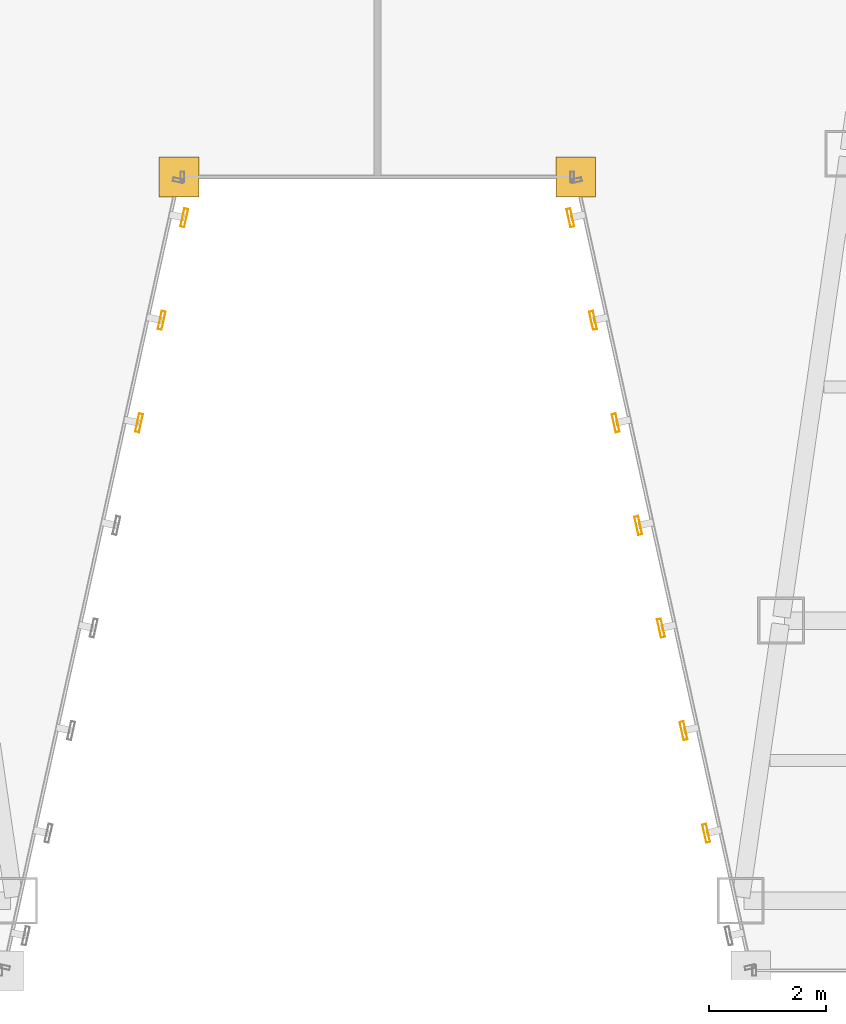
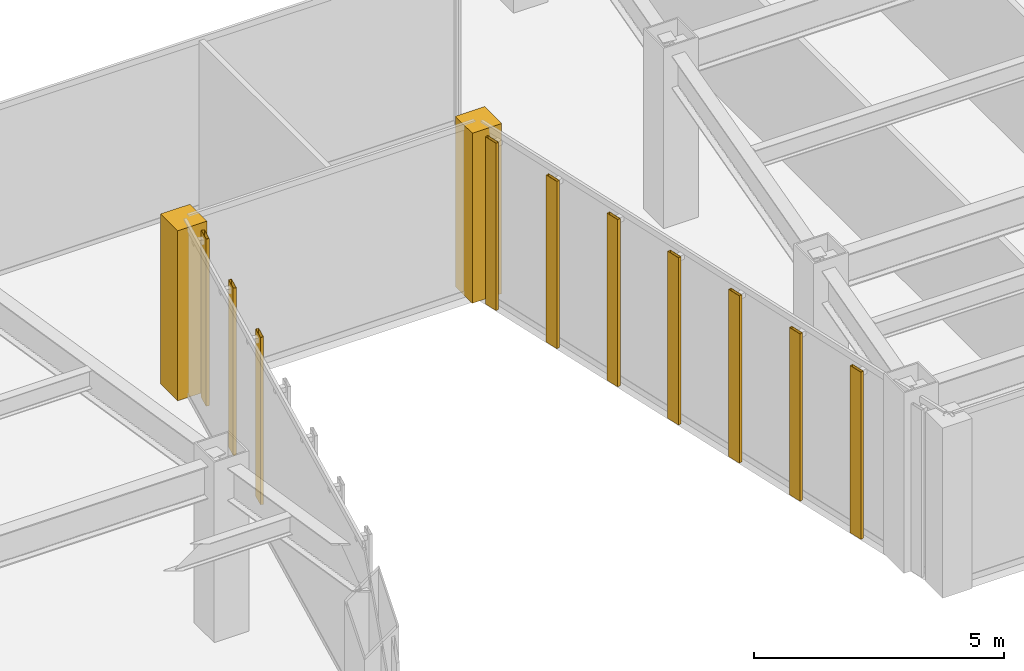
# One storey, part 42 of 47: 10 shading devices, 2 coverings.
"""IFC4 building model written with IfcOpenShell, lengths in metres."""

from ifc_helpers import new_model, si_unit, direction, frame, origin, origin_2d, place, context, subcontext, project, spatial, polyline, hollow_rectangle, outline, extrude, material, layer, layer_set, material_profile, profile_set, type_object, element, save


model = new_model("IFC4")

# Units and contexts
model_context = context("Model", 3, precision=1e-05, world=origin(), true_north=direction((0.0, 1.0)))
body_context = subcontext(model_context, "Body", "Model", "MODEL_VIEW")
ifc_project = project(units=[si_unit("LENGTHUNIT", "METRE"), si_unit("AREAUNIT", "SQUARE_METRE"), si_unit("VOLUMEUNIT", "CUBIC_METRE"), si_unit("PLANEANGLEUNIT", "RADIAN"), si_unit("MASSUNIT", "GRAM", prefix="KILO")], contexts=[model_context])

# Site, building, storey
site_placement = place(None, origin())
site = spatial("IfcSite", under=ifc_project, at=site_placement, CompositionType="ELEMENT")
building_placement = place(site_placement, origin())
building = spatial("IfcBuilding", under=site, at=building_placement, Name="Saevonmaru Cultural Tower", CompositionType="ELEMENT")
storey_placement = place(building_placement, frame((0.0, 0.0, 64.800048828125)))
storey = spatial("IfcBuildingStorey", under=building, at=storey_placement, Name="L13", CompositionType="ELEMENT", Elevation=64.800048828125)

# Coverings
ifc_material = material(Name="Satin Bronze Anodised Aluminium", Category="aluminium")
ifc_layer = layer(ifc_material, 0.679931640625, Name="Satin Bronze Anodised Aluminium")
ifc_layer_set = layer_set([ifc_layer], Name="Satin Bronze Anodised Aluminium")
covering_type = type_object("IfcCoveringType", Name="CV-CORNER-CLAD", PredefinedType="CLADDING", material=ifc_layer_set)
covering_1_placement = place(storey_placement, origin())
element("IfcCovering", 1, at=covering_1_placement, inside=storey, type_object=covering_type, Name="L13 Tower Bronze Corner Cladding Pier 4", PredefinedType="CLADDING", context=body_context, shape_type="SweptSolid", body=[
    extrude(outline(polyline([(26.260009765625, 15.260009765625), (26.93994140625, 15.260009765625), (26.93994140625, 15.93994140625), (26.260009765625, 15.93994140625), (26.260009765625, 15.260009765625)])), origin(), (0.0, 0.0, 1.0), 4.14990234375),
])
covering_2_placement = place(storey_placement, origin())
element("IfcCovering", 2, at=covering_2_placement, inside=storey, type_object=covering_type, Name="L13 Tower Bronze Corner Cladding Pier 5", PredefinedType="CLADDING", context=body_context, shape_type="SweptSolid", body=[
    extrude(outline(polyline([(33.06005859375, 15.260009765625), (33.739990234375, 15.260009765625), (33.739990234375, 15.93994140625), (33.06005859375, 15.93994140625), (33.06005859375, 15.260009765625)])), origin(), (0.0, 0.0, 1.0), 4.14990234375),
])

# Shading devices
ifc_material_profile = material_profile(ifc_material, hollow_rectangle(XDim=0.070068359375, YDim=0.320068359375, WallThickness=0.0048828125, at=origin_2d()), Name="FIN-320x70")
ifc_profile_set = profile_set([ifc_material_profile], Name="Satin Bronze Anodised Aluminium")
shading_device_type = type_object("IfcShadingDeviceType", Name="SHD-FIN-320", PredefinedType="JALOUSIE", material=ifc_profile_set)
for number, where, z_axis, x_axis, name in (
    (3, (25.916015625, 11.385009765625, 0.050048828125), (0.0, 0.0, 1.0), (0.976522126798, -0.215417120661, 0.0), "L13 Art Deco Sawtooth Bronze Fin E3-06"),
    (4, (26.3037109375, 13.142578125, 0.050048828125), (0.0, 0.0, 1.0), (0.976522126798, -0.215417120661, 0.0), "L13 Art Deco Sawtooth Bronze Fin E3-07"),
    (5, (26.69140625, 14.900390625, 0.050048828125), (0.0, 0.0, 1.0), (0.976522126798, -0.215417120661, 0.0), "L13 Art Deco Sawtooth Bronze Fin E3-08"),
    (6, (33.30859375, 14.900390625, 0.050048828125), (0.0, 0.0, 1.0), (-0.976522126798, -0.215417120661, 0.0), "L13 Art Deco Sawtooth Bronze Fin E5-01"),
    (7, (33.6962890625, 13.142578125, 0.050048828125), (0.0, 0.0, 1.0), (-0.976522126798, -0.215417120661, 0.0), "L13 Art Deco Sawtooth Bronze Fin E5-02"),
    (8, (34.083984375, 11.385009765625, 0.050048828125), (0.0, 0.0, 1.0), (-0.976522126798, -0.215417120661, 0.0), "L13 Art Deco Sawtooth Bronze Fin E5-03"),
    (9, (34.4716796875, 9.627197265625, 0.050048828125), (0.0, 0.0, 1.0), (-0.976522126798, -0.215417120661, 0.0), "L13 Art Deco Sawtooth Bronze Fin E5-04"),
    (10, (34.859619140625, 7.869384765625, 0.050048828125), (0.0, 0.0, 1.0), (-0.976522126798, -0.215417120661, 0.0), "L13 Art Deco Sawtooth Bronze Fin E5-05"),
    (11, (35.247314453125, 6.11181640625, 0.050048828125), (0.0, 0.0, 1.0), (-0.976522126798, -0.215417120661, 0.0), "L13 Art Deco Sawtooth Bronze Fin E5-06"),
    (12, (35.635009765625, 4.35400390625, 0.050048828125), (0.0, 0.0, 1.0), (-0.976522126798, -0.215417120661, 0.0), "L13 Art Deco Sawtooth Bronze Fin E5-07"),
):
    element("IfcShadingDevice", number, at=place(storey_placement, frame(where, z_axis=z_axis, x_axis=x_axis)), inside=storey, type_object=shading_device_type, Name=name, PredefinedType="JALOUSIE", context=body_context, shape_type="SweptSolid", body=[
        extrude(hollow_rectangle(XDim=0.070068359375, YDim=0.320068359375, WallThickness=0.0048828125, at=origin_2d()), origin(), (0.0, 0.0, 1.0), 4.079833984375),
    ])

save(model, "model.ifc")
